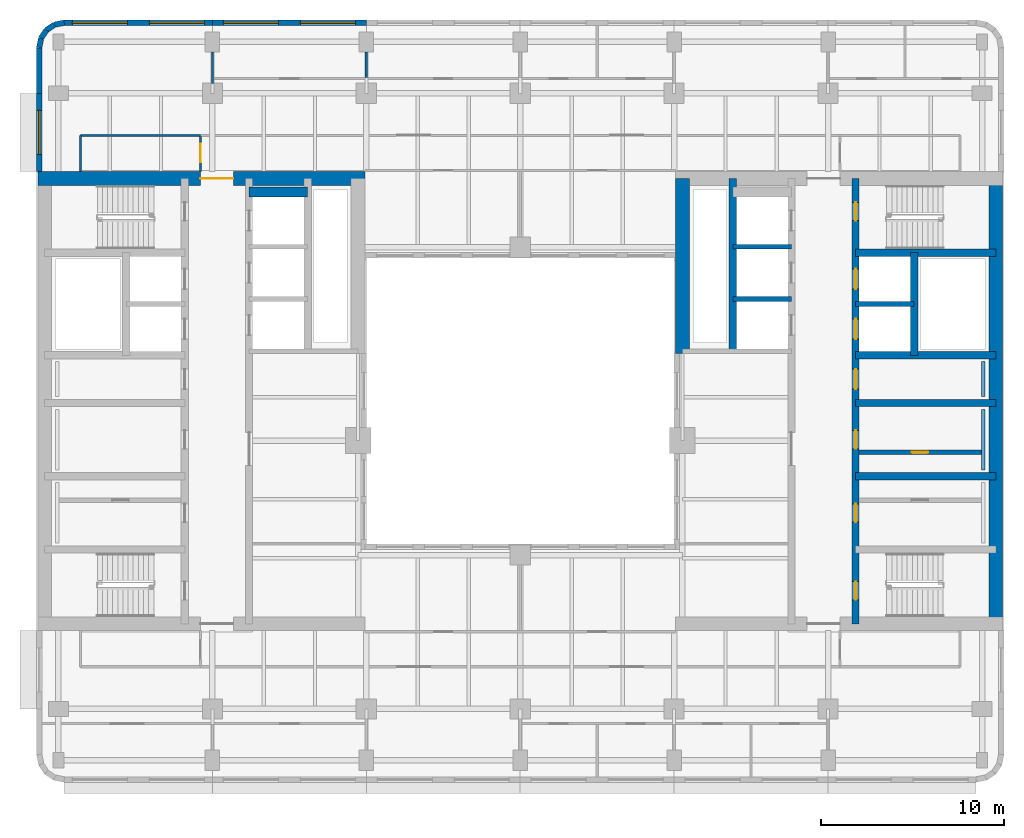
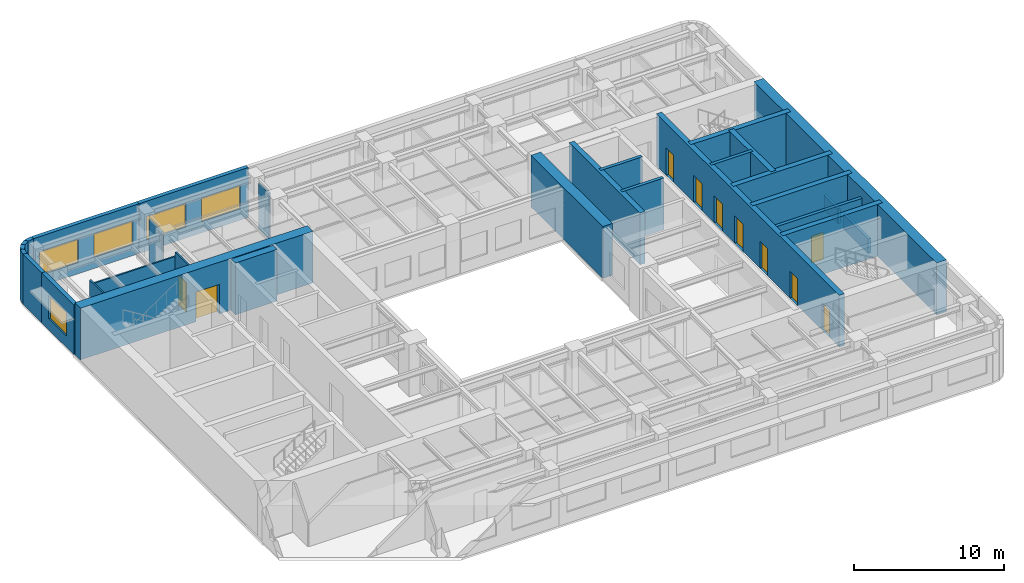
# One storey, part 6 of 11: 30 walls, 10 doors, 5 windows, 15 openings.
"""IFC4 building model written with IfcOpenShell, lengths in metres."""

from ifc_helpers import new_model, si_unit, direction, frame, frame_2d, origin, place, context, subcontext, project, spatial, rectangle, extrude, material, layer, layer_set, type_object, element, fill, save


model = new_model("IFC4")

# Units and contexts
model_context = context("Model", 3, precision=1e-05, world=origin(), true_north=direction((0.0, 1.0)))
body_context = subcontext(model_context, "Body", "Model", "MODEL_VIEW")
ifc_project = project(units=[si_unit("LENGTHUNIT", "METRE"), si_unit("AREAUNIT", "SQUARE_METRE"), si_unit("VOLUMEUNIT", "CUBIC_METRE"), si_unit("PLANEANGLEUNIT", "RADIAN"), si_unit("MASSUNIT", "GRAM", prefix="KILO")], contexts=[model_context])

# Site, building, storey
site_placement = place(None, origin())
site = spatial("IfcSite", under=ifc_project, at=site_placement, CompositionType="ELEMENT")
building_placement = place(site_placement, origin())
building = spatial("IfcBuilding", under=site, at=building_placement, Name="Claustro Exchange Tower", CompositionType="ELEMENT")
storey_placement = place(building_placement, frame((0.0, 0.0, 228.0)))
storey = spatial("IfcBuildingStorey", under=building, at=storey_placement, Name="L52", CompositionType="ELEMENT", Elevation=228.0)

# Walls
ifc_material_1 = material(Name="Laminated glass in aluminium frame", Category="aluminium")
ifc_layer_1 = layer(ifc_material_1, 0.1201171875)
ifc_layer_set_1 = layer_set([ifc_layer_1], Name="Laminated glass in aluminium frame")
wall_type_1 = type_object("IfcWallType", Name="P2 120 glazed partition", PredefinedType="PARTITIONING", material=ifc_layer_set_1)
wall_1_placement = place(storey_placement, frame((8.39990234375, 42.548095703125, 0.0), z_axis=(0.0, 0.0, 1.0), x_axis=(0.0, 1.0, 0.0)))
element("IfcWall", 1, at=wall_1_placement, inside=storey, type_object=wall_type_1, Name="Partition P2 L52", PredefinedType="PARTITIONING", context=body_context, shape_type="SweptSolid", body=[
    extrude(rectangle(XDim=1.702880859375, YDim=0.1201171875, at=frame_2d((0.8515625, 0.0))), origin(), (0.0, 0.0, 1.0), 3.68994140625),
])
wall_2_placement = place(storey_placement, frame((16.800048828125, 42.85791015625, 0.0), z_axis=(0.0, 0.0, 1.0), x_axis=(0.0, 1.0, 0.0)))
element("IfcWall", 2, at=wall_2_placement, inside=storey, type_object=wall_type_1, Name="Partition P2 L52", PredefinedType="PARTITIONING", context=body_context, shape_type="SweptSolid", body=[
    extrude(rectangle(XDim=1.39306640625, YDim=0.1201171875, at=frame_2d((0.696533203125, 0.0))), origin(), (0.0, 0.0, 1.0), 3.68994140625),
])

# Wall, opening, door
wall_3_placement = place(storey_placement, frame((7.75, 37.72412109375, 0.0), z_axis=(0.0, 0.0, 1.0), x_axis=(0.0, 1.0, 0.0)))
wall_3 = element("IfcWall", 3, at=wall_3_placement, inside=storey, type_object=wall_type_1, Name="Partition P2 L52", PredefinedType="PARTITIONING", context=body_context, shape_type="SweptSolid", body=[
    extrude(rectangle(XDim=1.91796875, YDim=0.1201171875, at=frame_2d((0.958984375, 0.0))), origin(), (0.0, 0.0, 1.0), 4.050048828125),
])
opening_1_placement = place(wall_3_placement, frame((0.52587890625, 0.0, 0.0)))
opening_1 = element("IfcOpeningElement", 4, at=opening_1_placement, cuts=wall_3, Name="Opening D7", PredefinedType="OPENING", context=body_context, shape_type="SweptSolid", body=[
    extrude(rectangle(XDim=1.0, YDim=2.39990234375, at=frame_2d((0.5, 1.199951171875))), frame((0.0, 0.070068359375, 0.0), z_axis=(0.0, -1.0, 0.0), x_axis=(1.0, 0.0, 0.0)), (0.0, 0.0, 1.0), 0.14013671875),
])
ifc_material_2 = material(Name="Glass door in aluminium frame", Category="aluminium")
door_type_1 = type_object("IfcDoorType", Name="D7 1000 x 2400 glazed door", OperationType="SINGLE_SWING_LEFT", PredefinedType="DOOR", material=ifc_material_2)
door_1_placement = place(opening_1_placement, origin())
door_1 = element("IfcDoor", 5, at=door_1_placement, inside=storey, type_object=door_type_1, Name="Door D7 L52", OperationType="SINGLE_SWING_LEFT", OverallHeight=2.39990234375, OverallWidth=1.0, PredefinedType="DOOR", context=body_context, shape_type="SweptSolid", body=[
    extrude(rectangle(XDim=1.0, YDim=2.39990234375, at=frame_2d((0.5, 1.199951171875))), frame((0.0, 0.02490234375, 0.0), z_axis=(0.0, -1.0, 0.0), x_axis=(1.0, 0.0, 0.0)), (0.0, 0.0, 1.0), 0.050048828125),
])
fill(opening_1, door_1)

# Walls
wall_4_placement = place(storey_placement, frame((1.199951171875, 39.699951171875, 0.0), z_axis=(0.0, 0.0, 1.0), x_axis=(1.0, 0.0, 0.0)))
element("IfcWall", 6, at=wall_4_placement, inside=storey, type_object=wall_type_1, Name="Partition P2 L52", PredefinedType="PARTITIONING", context=body_context, shape_type="SweptSolid", body=[
    extrude(rectangle(XDim=6.552001953125, YDim=0.1201171875, at=frame_2d((3.27587890625, 0.0))), origin(), (0.0, 0.0, 1.0), 3.68994140625),
])
wall_5_placement = place(storey_placement, frame((1.199951171875, 37.72412109375, 0.0), z_axis=(0.0, 0.0, 1.0), x_axis=(0.0, 1.0, 0.0)))
element("IfcWall", 7, at=wall_5_placement, inside=storey, type_object=wall_type_1, Name="Partition P2 L52", PredefinedType="PARTITIONING", context=body_context, shape_type="SweptSolid", body=[
    extrude(rectangle(XDim=1.975830078125, YDim=0.1201171875, at=frame_2d((0.98779296875, 0.0))), origin(), (0.0, 0.0, 1.0), 4.050048828125),
])

# Wall, opening, door
ifc_material_3 = material(Name="Concrete blockwork, rendered", Category="masonry")
ifc_layer_2 = layer(ifc_material_3, 0.25)
ifc_layer_set_2 = layer_set([ifc_layer_2], Name="Concrete blockwork, rendered")
wall_type_2 = type_object("IfcWallType", Name="P4 250 blockwork wall", PredefinedType="PARTITIONING", material=ifc_layer_set_2)
wall_6_placement = place(storey_placement, frame((43.699951171875, 22.39990234375, 0.0), z_axis=(0.0, 0.0, 1.0), x_axis=(1.0, 0.0, 0.0)))
wall_6 = element("IfcWall", 8, at=wall_6_placement, inside=storey, type_object=wall_type_2, Name="Partition P4 L52", PredefinedType="PARTITIONING", context=body_context, shape_type="SweptSolid", body=[
    extrude(rectangle(XDim=6.675048828125, YDim=0.25, at=frame_2d((3.33740234375, 0.0))), origin(), (0.0, 0.0, 1.0), 4.0),
])
opening_2_placement = place(wall_6_placement, frame((2.862548828125, 0.0, 0.0)))
opening_2 = element("IfcOpeningElement", 9, at=opening_2_placement, cuts=wall_6, Name="Opening D5", PredefinedType="OPENING", context=body_context, shape_type="SweptSolid", body=[
    extrude(rectangle(XDim=0.89990234375, YDim=2.199951171875, at=frame_2d((0.449951171875, 1.10009765625))), frame((0.0, 0.135009765625, 0.0), z_axis=(0.0, -1.0, 0.0), x_axis=(1.0, 0.0, 0.0)), (0.0, 0.0, 1.0), 0.27001953125),
])
ifc_material_4 = material(Name="Steel door, painted", Category="steel")
door_type_2 = type_object("IfcDoorType", Name="D5 900 x 2200 store door", OperationType="SINGLE_SWING_LEFT", PredefinedType="DOOR", material=ifc_material_4)
door_2_placement = place(opening_2_placement, frame((0.89990234375, 0.0, 0.0), z_axis=(0.0, 0.0, 1.0), x_axis=(-1.0, 0.0, 0.0)))
door_2 = element("IfcDoor", 10, at=door_2_placement, inside=storey, type_object=door_type_2, Name="Store door D5 L52", OperationType="SINGLE_SWING_RIGHT", OverallHeight=2.199951171875, OverallWidth=0.89990234375, PredefinedType="DOOR", context=body_context, shape_type="SweptSolid", body=[
    extrude(rectangle(XDim=0.89990234375, YDim=2.199951171875, at=frame_2d((0.449951171875, 1.10009765625))), frame((0.0, 0.02490234375, 0.0), z_axis=(0.0, -1.0, 0.0), x_axis=(1.0, 0.0, 0.0)), (0.0, 0.0, 1.0), 0.050048828125),
])
fill(opening_2, door_2)

# Wall, opening, window
ifc_material_5 = material(Name="Concrete HA-40 (C40/50), precast, white cement, acid-etched", Category="concrete")
ifc_layer_3 = layer(ifc_material_5, 0.300048828125)
ifc_layer_set_3 = layer_set([ifc_layer_3], Name="Concrete HA-40 (C40/50), precast, white cement, acid-etched")
wall_type_3 = type_object("IfcWallType", Name="PC1 300 precast concrete pier panel", PredefinedType="SOLIDWALL", material=ifc_layer_set_3)
wall_7_placement = place(storey_placement, frame((-1.050048828125, 37.72509765625, 0.0), z_axis=(0.0, 0.0, 1.0), x_axis=(0.0, 1.0, 0.0)))
wall_7 = element("IfcWall", 11, at=wall_7_placement, inside=storey, type_object=wall_type_3, Name="Precast pier panel PC1 L52", PredefinedType="SOLIDWALL", context=body_context, shape_type="SweptSolid", body=[
    extrude(rectangle(XDim=4.27490234375, YDim=0.300048828125, at=frame_2d((2.137451171875, 0.0))), origin(), (0.0, 0.0, 1.0), 4.050048828125),
])
opening_3_placement = place(wall_7_placement, frame((0.9375, 0.0, 0.89990234375)))
opening_3 = element("IfcOpeningElement", 12, at=opening_3_placement, cuts=wall_7, Name="Opening W2", PredefinedType="OPENING", context=body_context, shape_type="SweptSolid", body=[
    extrude(rectangle(XDim=2.39990234375, YDim=1.89990234375, at=frame_2d((1.199951171875, 0.949951171875))), frame((0.0, 0.159912109375, 0.0), z_axis=(0.0, -1.0, 0.0), x_axis=(1.0, 0.0, 0.0)), (0.0, 0.0, 1.0), 0.320068359375),
])
ifc_material_6 = material(Name="Aluminium frame, clear double glazing", Category="aluminium")
window_type_1 = type_object("IfcWindowType", Name="W2 2400 x 1900 window", PartitioningType="SINGLE_PANEL", PredefinedType="WINDOW", material=ifc_material_6)
window_1_placement = place(opening_3_placement, origin())
window_1 = element("IfcWindow", 13, at=window_1_placement, inside=storey, type_object=window_type_1, Name="Window W2 L52", OverallHeight=1.89990234375, OverallWidth=2.39990234375, PartitioningType="SINGLE_PANEL", PredefinedType="WINDOW", context=body_context, shape_type="SweptSolid", body=[
    extrude(rectangle(XDim=2.39990234375, YDim=1.89990234375, at=frame_2d((1.199951171875, 0.949951171875))), frame((0.0, 0.030029296875, 0.0), z_axis=(0.0, -1.0, 0.0), x_axis=(1.0, 0.0, 0.0)), (0.0, 0.0, 1.0), 0.06005859375),
])
fill(opening_3, window_1)

# Walls
wall_8_placement = place(storey_placement, frame((-1.050048828125, 42.0, 0.0), z_axis=(0.0, 0.0, 1.0), x_axis=(0.0, 1.0, 0.0)))
element("IfcWall", 14, at=wall_8_placement, inside=storey, type_object=wall_type_3, Name="Precast pier panel PC1 L52", PredefinedType="SOLIDWALL", context=body_context, shape_type="SweptSolid", body=[
    extrude(rectangle(XDim=2.485107421875, YDim=0.300048828125, at=frame_2d((1.24267578125, 0.0))), origin(), (0.0, 0.0, 1.0), 4.050048828125),
])
wall_9_placement = place(storey_placement, frame((-1.050048828125, 44.485107421875, 0.0), z_axis=(0.0, 0.0, 1.0), x_axis=(0.195073962632, 0.980788534345, 0.0)))
element("IfcWall", 15, at=wall_9_placement, inside=storey, type_object=wall_type_3, Name="Precast pier panel PC1 L52", PredefinedType="SOLIDWALL", context=body_context, shape_type="SweptSolid", body=[
    extrude(rectangle(XDim=0.540771484375, YDim=0.300048828125, at=frame_2d((0.2705078125, 0.0))), origin(), (0.0, 0.0, 1.0), 4.050048828125),
])
wall_10_placement = place(storey_placement, frame((-0.944580078125, 45.015380859375, 0.0), z_axis=(0.0, 0.0, 1.0), x_axis=(0.55534295404, 0.831621430339, 0.0)))
element("IfcWall", 16, at=wall_10_placement, inside=storey, type_object=wall_type_3, Name="Precast pier panel PC1 L52", PredefinedType="SOLIDWALL", context=body_context, shape_type="SweptSolid", body=[
    extrude(rectangle(XDim=0.52587890625, YDim=0.300048828125, at=frame_2d((0.262939453125, 0.0))), origin(), (0.0, 0.0, 1.0), 4.050048828125),
])
wall_11_placement = place(storey_placement, frame((-0.652587890625, 45.45263671875, 0.0), z_axis=(0.0, 0.0, 1.0), x_axis=(0.831692711774, 0.555236195849, 0.0)))
element("IfcWall", 17, at=wall_11_placement, inside=storey, type_object=wall_type_3, Name="Precast pier panel PC1 L52", PredefinedType="SOLIDWALL", context=body_context, shape_type="SweptSolid", body=[
    extrude(rectangle(XDim=0.525390625, YDim=0.300048828125, at=frame_2d((0.2626953125, 0.0))), origin(), (0.0, 0.0, 1.0), 4.050048828125),
])
wall_12_placement = place(storey_placement, frame((-0.215576171875, 45.744384765625, 0.0), z_axis=(0.0, 0.0, 1.0), x_axis=(0.980702050465, 0.1955082817, 0.0)))
element("IfcWall", 18, at=wall_12_placement, inside=storey, type_object=wall_type_3, Name="Precast pier panel PC1 L52", PredefinedType="SOLIDWALL", context=body_context, shape_type="SweptSolid", body=[
    extrude(rectangle(XDim=0.540771484375, YDim=0.300048828125, at=frame_2d((0.2705078125, 0.0))), origin(), (0.0, 0.0, 1.0), 4.050048828125),
])

# Wall, openings, windows
wall_13_placement = place(storey_placement, frame((0.314697265625, 45.85009765625, 0.0), z_axis=(0.0, 0.0, 1.0), x_axis=(1.0, 0.0, 0.0)))
wall_13 = element("IfcWall", 19, at=wall_13_placement, inside=storey, type_object=wall_type_3, Name="Precast pier panel PC1 L52", PredefinedType="SOLIDWALL", context=body_context, shape_type="SweptSolid", body=[
    extrude(rectangle(XDim=8.085205078125, YDim=0.300048828125, at=frame_2d((4.04248046875, 0.0))), origin(), (0.0, 0.0, 1.0), 4.050048828125),
])
opening_4_placement = place(wall_13_placement, frame((0.442626953125, 0.0, 0.89990234375)))
opening_4 = element("IfcOpeningElement", 20, at=opening_4_placement, cuts=wall_13, Name="Opening W1", PredefinedType="OPENING", context=body_context, shape_type="SweptSolid", body=[
    extrude(rectangle(XDim=3.0, YDim=1.89990234375, at=frame_2d((1.5, 0.949951171875))), frame((0.0, 0.159912109375, 0.0), z_axis=(0.0, -1.0, 0.0), x_axis=(1.0, 0.0, 0.0)), (0.0, 0.0, 1.0), 0.320068359375),
])
opening_5_placement = place(wall_13_placement, frame((4.642578125, 0.0, 0.89990234375)))
opening_5 = element("IfcOpeningElement", 21, at=opening_5_placement, cuts=wall_13, Name="Opening W1", PredefinedType="OPENING", context=body_context, shape_type="SweptSolid", body=[
    extrude(rectangle(XDim=3.0, YDim=1.89990234375, at=frame_2d((1.5, 0.949951171875))), frame((0.0, 0.159912109375, 0.0), z_axis=(0.0, -1.0, 0.0), x_axis=(1.0, 0.0, 0.0)), (0.0, 0.0, 1.0), 0.320068359375),
])
ifc_material_7 = material(Name="Aluminium frame, clear double glazing", Category="aluminium")
window_type_2 = type_object("IfcWindowType", Name="W1 3000 x 1900 window", PartitioningType="SINGLE_PANEL", PredefinedType="WINDOW", material=ifc_material_7)
window_2_placement = place(opening_4_placement, origin())
window_2 = element("IfcWindow", 22, at=window_2_placement, inside=storey, type_object=window_type_2, Name="Window W1 L52", OverallHeight=1.89990234375, OverallWidth=3.0, PartitioningType="SINGLE_PANEL", PredefinedType="WINDOW", context=body_context, shape_type="SweptSolid", body=[
    extrude(rectangle(XDim=3.0, YDim=1.89990234375, at=frame_2d((1.5, 0.949951171875))), frame((0.0, 0.030029296875, 0.0), z_axis=(0.0, -1.0, 0.0), x_axis=(1.0, 0.0, 0.0)), (0.0, 0.0, 1.0), 0.06005859375),
])
fill(opening_4, window_2)
window_3_placement = place(opening_5_placement, origin())
window_3 = element("IfcWindow", 23, at=window_3_placement, inside=storey, type_object=window_type_2, Name="Window W1 L52", OverallHeight=1.89990234375, OverallWidth=3.0, PartitioningType="SINGLE_PANEL", PredefinedType="WINDOW", context=body_context, shape_type="SweptSolid", body=[
    extrude(rectangle(XDim=3.0, YDim=1.89990234375, at=frame_2d((1.5, 0.949951171875))), frame((0.0, 0.030029296875, 0.0), z_axis=(0.0, -1.0, 0.0), x_axis=(1.0, 0.0, 0.0)), (0.0, 0.0, 1.0), 0.06005859375),
])
fill(opening_5, window_3)

wall_14_placement = place(storey_placement, frame((8.39990234375, 45.85009765625, 0.0), z_axis=(0.0, 0.0, 1.0), x_axis=(1.0, 0.0, 0.0)))
wall_14 = element("IfcWall", 24, at=wall_14_placement, inside=storey, type_object=wall_type_3, Name="Precast pier panel PC1 L52", PredefinedType="SOLIDWALL", context=body_context, shape_type="SweptSolid", body=[
    extrude(rectangle(XDim=8.400146484375, YDim=0.300048828125, at=frame_2d((4.2001953125, 0.0))), origin(), (0.0, 0.0, 1.0), 4.050048828125),
])
opening_6_placement = place(wall_14_placement, frame((0.60009765625, 0.0, 0.89990234375)))
opening_6 = element("IfcOpeningElement", 25, at=opening_6_placement, cuts=wall_14, Name="Opening W1", PredefinedType="OPENING", context=body_context, shape_type="SweptSolid", body=[
    extrude(rectangle(XDim=3.0, YDim=1.89990234375, at=frame_2d((1.5, 0.949951171875))), frame((0.0, 0.159912109375, 0.0), z_axis=(0.0, -1.0, 0.0), x_axis=(1.0, 0.0, 0.0)), (0.0, 0.0, 1.0), 0.320068359375),
])
opening_7_placement = place(wall_14_placement, frame((4.800048828125, 0.0, 0.89990234375)))
opening_7 = element("IfcOpeningElement", 26, at=opening_7_placement, cuts=wall_14, Name="Opening W1", PredefinedType="OPENING", context=body_context, shape_type="SweptSolid", body=[
    extrude(rectangle(XDim=3.0, YDim=1.89990234375, at=frame_2d((1.5, 0.949951171875))), frame((0.0, 0.159912109375, 0.0), z_axis=(0.0, -1.0, 0.0), x_axis=(1.0, 0.0, 0.0)), (0.0, 0.0, 1.0), 0.320068359375),
])
window_4_placement = place(opening_6_placement, origin())
window_4 = element("IfcWindow", 27, at=window_4_placement, inside=storey, type_object=window_type_2, Name="Window W1 L52", OverallHeight=1.89990234375, OverallWidth=3.0, PartitioningType="SINGLE_PANEL", PredefinedType="WINDOW", context=body_context, shape_type="SweptSolid", body=[
    extrude(rectangle(XDim=3.0, YDim=1.89990234375, at=frame_2d((1.5, 0.949951171875))), frame((0.0, 0.030029296875, 0.0), z_axis=(0.0, -1.0, 0.0), x_axis=(1.0, 0.0, 0.0)), (0.0, 0.0, 1.0), 0.06005859375),
])
fill(opening_6, window_4)
window_5_placement = place(opening_7_placement, origin())
window_5 = element("IfcWindow", 28, at=window_5_placement, inside=storey, type_object=window_type_2, Name="Window W1 L52", OverallHeight=1.89990234375, OverallWidth=3.0, PartitioningType="SINGLE_PANEL", PredefinedType="WINDOW", context=body_context, shape_type="SweptSolid", body=[
    extrude(rectangle(XDim=3.0, YDim=1.89990234375, at=frame_2d((1.5, 0.949951171875))), frame((0.0, 0.030029296875, 0.0), z_axis=(0.0, -1.0, 0.0), x_axis=(1.0, 0.0, 0.0)), (0.0, 0.0, 1.0), 0.06005859375),
])
fill(opening_7, window_5)

# Walls
ifc_material_8 = material(Name="Gypsum board on steel studs, tiled", Category="steel")
ifc_layer_4 = layer(ifc_material_8, 0.199951171875)
ifc_layer_set_4 = layer_set([ifc_layer_4], Name="Gypsum board on steel studs, tiled")
wall_type_4 = type_object("IfcWallType", Name="PW1 200 WC duct wall", PredefinedType="PLUMBINGWALL", material=ifc_layer_set_4)
wall_15_placement = place(storey_placement, frame((50.47509765625, 21.449951171875, 0.0), z_axis=(0.0, 0.0, 1.0), x_axis=(0.0, 1.0, 0.0)))
element("IfcWall", 29, at=wall_15_placement, inside=storey, type_object=wall_type_4, Name="WC duct wall PW1 L52", PredefinedType="PLUMBINGWALL", context=body_context, shape_type="SweptSolid", body=[
    extrude(rectangle(XDim=3.300048828125, YDim=0.199951171875, at=frame_2d((1.64990234375, 0.0))), origin(), (0.0, 0.0, 1.0), 1.199951171875),
])
wall_16_placement = place(storey_placement, frame((50.47509765625, 25.449951171875, 0.0), z_axis=(0.0, 0.0, 1.0), x_axis=(0.0, 1.0, 0.0)))
element("IfcWall", 30, at=wall_16_placement, inside=storey, type_object=wall_type_4, Name="WC duct wall PW1 L52", PredefinedType="PLUMBINGWALL", context=body_context, shape_type="SweptSolid", body=[
    extrude(rectangle(XDim=1.900146484375, YDim=0.199951171875, at=frame_2d((0.9501953125, 0.0))), origin(), (0.0, 0.0, 1.0), 1.199951171875),
])

# Wall, opening, door
ifc_material_9 = material(Name="Concrete HA-70 (C70/85)", Category="concrete")
ifc_layer_5 = layer(ifc_material_9, 0.75)
ifc_layer_set_5 = layer_set([ifc_layer_5], Name="Concrete HA-70 (C70/85)")
wall_type_5 = type_object("IfcWallType", Name="SW2 750 core shear wall", PredefinedType="SHEAR", material=ifc_layer_set_5)
wall_17_placement = place(storey_placement, frame((-1.125, 37.35009765625, 0.0), z_axis=(0.0, 0.0, 1.0), x_axis=(1.0, 0.0, 0.0)))
wall_17 = element("IfcWall", 31, at=wall_17_placement, inside=storey, type_object=wall_type_5, Name="Core wall SW2 W core N face L52", PredefinedType="SHEAR", context=body_context, shape_type="SweptSolid", body=[
    extrude(rectangle(XDim=17.85009765625, YDim=0.75, at=frame_2d((8.925048828125, 0.0))), origin(), (0.0, 0.0, 1.0), 4.199951171875),
])
opening_8_placement = place(wall_17_placement, frame((8.875, 0.0, 0.0)))
opening_8 = element("IfcOpeningElement", 32, at=opening_8_placement, cuts=wall_17, Name="Opening D3", PredefinedType="OPENING", context=body_context, shape_type="SweptSolid", body=[
    extrude(rectangle(XDim=1.800048828125, YDim=2.39990234375, at=frame_2d((0.89990234375, 1.199951171875))), frame((0.0, 0.385009765625, 0.0), z_axis=(0.0, -1.0, 0.0), x_axis=(1.0, 0.0, 0.0)), (0.0, 0.0, 1.0), 0.77001953125),
])
ifc_material_10 = material(Name="Steel fire door, painted", Category="steel")
door_type_3 = type_object("IfcDoorType", Name="D3 1800 x 2400 fire-rated lobby double door", OperationType="DOUBLE_DOOR_SINGLE_SWING", PredefinedType="DOOR", material=ifc_material_10)
door_3_placement = place(opening_8_placement, frame((1.800048828125, 0.0, 0.0), z_axis=(0.0, 0.0, 1.0), x_axis=(-1.0, 0.0, 0.0)))
door_3 = element("IfcDoor", 33, at=door_3_placement, inside=storey, type_object=door_type_3, Name="Lift lobby door D3 L52", OperationType="DOUBLE_DOOR_SINGLE_SWING", OverallHeight=2.39990234375, OverallWidth=1.800048828125, PredefinedType="DOOR", context=body_context, shape_type="SweptSolid", body=[
    extrude(rectangle(XDim=1.800048828125, YDim=2.39990234375, at=frame_2d((0.89990234375, 1.199951171875))), frame((0.0, 0.02490234375, 0.0), z_axis=(0.0, -1.0, 0.0), x_axis=(1.0, 0.0, 0.0)), (0.0, 0.0, 1.0), 0.050048828125),
])
fill(opening_8, door_3)

# Walls
ifc_material_11 = material(Name="Concrete HA-70 (C70/85)", Category="concrete")
ifc_layer_6 = layer(ifc_material_11, 0.75)
ifc_layer_set_6 = layer_set([ifc_layer_6], Name="Concrete HA-70 (C70/85)")
wall_type_6 = type_object("IfcWallType", Name="SW2X 750 exposed core shear wall, board-marked face", PredefinedType="SHEAR", material=ifc_layer_set_6)
wall_18_placement = place(storey_placement, frame((34.050048828125, 27.800048828125, 0.0), z_axis=(0.0, 0.0, 1.0), x_axis=(0.0, 1.0, 0.0)))
element("IfcWall", 34, at=wall_18_placement, inside=storey, type_object=wall_type_6, Name="Core wall SW2X E core W face L52", PredefinedType="SHEAR", context=body_context, shape_type="SweptSolid", body=[
    extrude(rectangle(XDim=9.550048828125, YDim=0.75, at=frame_2d((4.77490234375, 0.0))), origin(), (0.0, 0.0, 1.0), 4.199951171875),
])
wall_19_placement = place(storey_placement, frame((51.14990234375, 13.050048828125, 0.0), z_axis=(0.0, 0.0, 1.0), x_axis=(0.0, 1.0, 0.0)))
element("IfcWall", 35, at=wall_19_placement, inside=storey, type_object=wall_type_6, Name="Core wall SW2X E core E face L52", PredefinedType="SHEAR", context=body_context, shape_type="SweptSolid", body=[
    extrude(rectangle(XDim=24.300048828125, YDim=0.75, at=frame_2d((12.14990234375, 0.0))), origin(), (0.0, 0.0, 1.0), 4.199951171875),
])

# Wall, openings, doors
ifc_material_12 = material(Name="Concrete HA-50 (C50/60)", Category="concrete")
ifc_layer_7 = layer(ifc_material_12, 0.39990234375)
ifc_layer_set_7 = layer_set([ifc_layer_7], Name="Concrete HA-50 (C50/60)")
wall_type_7 = type_object("IfcWallType", Name="SW4 400 internal core wall", PredefinedType="SHEAR", material=ifc_layer_set_7)
wall_20_placement = place(storey_placement, frame((43.5, 13.050048828125, 0.0), z_axis=(0.0, 0.0, 1.0), x_axis=(0.0, 1.0, 0.0)))
wall_20 = element("IfcWall", 36, at=wall_20_placement, inside=storey, type_object=wall_type_7, Name="Internal core wall SW4 E core L52", PredefinedType="SHEAR", context=body_context, shape_type="SweptSolid", body=[
    extrude(rectangle(XDim=24.300048828125, YDim=0.39990234375, at=frame_2d((12.14990234375, 0.0))), origin(), (0.0, 0.0, 1.0), 4.199951171875),
])
opening_9_placement = place(wall_20_placement, frame((1.300048828125, 0.0, 0.0)))
opening_9 = element("IfcOpeningElement", 37, at=opening_9_placement, cuts=wall_20, Name="Opening D4", PredefinedType="OPENING", context=body_context, shape_type="SweptSolid", body=[
    extrude(rectangle(XDim=1.0, YDim=2.199951171875, at=frame_2d((0.5, 1.10009765625))), frame((0.0, 0.2099609375, 0.0), z_axis=(0.0, -1.0, 0.0), x_axis=(1.0, 0.0, 0.0)), (0.0, 0.0, 1.0), 0.419921875),
])
opening_10_placement = place(wall_20_placement, frame((22.0, 0.0, 0.0)))
opening_10 = element("IfcOpeningElement", 38, at=opening_10_placement, cuts=wall_20, Name="Opening D4", PredefinedType="OPENING", context=body_context, shape_type="SweptSolid", body=[
    extrude(rectangle(XDim=1.0, YDim=2.199951171875, at=frame_2d((0.5, 1.10009765625))), frame((0.0, 0.2099609375, 0.0), z_axis=(0.0, -1.0, 0.0), x_axis=(1.0, 0.0, 0.0)), (0.0, 0.0, 1.0), 0.419921875),
])
opening_11_placement = place(wall_20_placement, frame((5.550048828125, 0.0, 0.0)))
opening_11 = element("IfcOpeningElement", 39, at=opening_11_placement, cuts=wall_20, Name="Opening D1", PredefinedType="OPENING", context=body_context, shape_type="SweptSolid", body=[
    extrude(rectangle(XDim=1.0, YDim=2.199951171875, at=frame_2d((0.5, 1.10009765625))), frame((0.0, 0.2099609375, 0.0), z_axis=(0.0, -1.0, 0.0), x_axis=(1.0, 0.0, 0.0)), (0.0, 0.0, 1.0), 0.419921875),
])
opening_12_placement = place(wall_20_placement, frame((9.550048828125, 0.0, 0.0)))
opening_12 = element("IfcOpeningElement", 40, at=opening_12_placement, cuts=wall_20, Name="Opening D1", PredefinedType="OPENING", context=body_context, shape_type="SweptSolid", body=[
    extrude(rectangle(XDim=1.0, YDim=2.199951171875, at=frame_2d((0.5, 1.10009765625))), frame((0.0, 0.2099609375, 0.0), z_axis=(0.0, -1.0, 0.0), x_axis=(1.0, 0.0, 0.0)), (0.0, 0.0, 1.0), 0.419921875),
])
opening_13_placement = place(wall_20_placement, frame((12.800048828125, 0.0, 0.0)))
opening_13 = element("IfcOpeningElement", 41, at=opening_13_placement, cuts=wall_20, Name="Opening D10", PredefinedType="OPENING", context=body_context, shape_type="SweptSolid", body=[
    extrude(rectangle(XDim=1.10009765625, YDim=2.199951171875, at=frame_2d((0.550048828125, 1.10009765625))), frame((0.0, 0.2099609375, 0.0), z_axis=(0.0, -1.0, 0.0), x_axis=(1.0, 0.0, 0.0)), (0.0, 0.0, 1.0), 0.419921875),
])
opening_14_placement = place(wall_20_placement, frame((15.53759765625, 0.0, 0.0)))
opening_14 = element("IfcOpeningElement", 42, at=opening_14_placement, cuts=wall_20, Name="Opening LD", PredefinedType="OPENING", context=body_context, shape_type="SweptSolid", body=[
    extrude(rectangle(XDim=1.10009765625, YDim=2.199951171875, at=frame_2d((0.550048828125, 1.10009765625))), frame((0.0, 0.2099609375, 0.0), z_axis=(0.0, -1.0, 0.0), x_axis=(1.0, 0.0, 0.0)), (0.0, 0.0, 1.0), 0.419921875),
])
opening_15_placement = place(wall_20_placement, frame((18.262451171875, 0.0, 0.0)))
opening_15 = element("IfcOpeningElement", 43, at=opening_15_placement, cuts=wall_20, Name="Opening LD", PredefinedType="OPENING", context=body_context, shape_type="SweptSolid", body=[
    extrude(rectangle(XDim=1.10009765625, YDim=2.199951171875, at=frame_2d((0.550048828125, 1.10009765625))), frame((0.0, 0.2099609375, 0.0), z_axis=(0.0, -1.0, 0.0), x_axis=(1.0, 0.0, 0.0)), (0.0, 0.0, 1.0), 0.419921875),
])
ifc_material_13 = material(Name="Timber door, oak veneer", Category="wood")
door_type_4 = type_object("IfcDoorType", Name="D1 1000 x 2200 single door", OperationType="SINGLE_SWING_LEFT", PredefinedType="DOOR", material=ifc_material_13)
door_4_placement = place(opening_11_placement, frame((1.0, 0.0, 0.0), z_axis=(0.0, 0.0, 1.0), x_axis=(-1.0, 0.0, 0.0)))
door_4 = element("IfcDoor", 44, at=door_4_placement, inside=storey, type_object=door_type_4, Name="Door D1 L52", OperationType="SINGLE_SWING_LEFT", OverallHeight=2.199951171875, OverallWidth=1.0, PredefinedType="DOOR", context=body_context, shape_type="SweptSolid", body=[
    extrude(rectangle(XDim=1.0, YDim=2.199951171875, at=frame_2d((0.5, 1.10009765625))), frame((0.0, 0.02490234375, 0.0), z_axis=(0.0, -1.0, 0.0), x_axis=(1.0, 0.0, 0.0)), (0.0, 0.0, 1.0), 0.050048828125),
])
fill(opening_11, door_4)
door_5_placement = place(opening_12_placement, frame((1.0, 0.0, 0.0), z_axis=(0.0, 0.0, 1.0), x_axis=(-1.0, 0.0, 0.0)))
door_5 = element("IfcDoor", 45, at=door_5_placement, inside=storey, type_object=door_type_4, Name="Door D1 L52", OperationType="SINGLE_SWING_RIGHT", OverallHeight=2.199951171875, OverallWidth=1.0, PredefinedType="DOOR", context=body_context, shape_type="SweptSolid", body=[
    extrude(rectangle(XDim=1.0, YDim=2.199951171875, at=frame_2d((0.5, 1.10009765625))), frame((0.0, 0.02490234375, 0.0), z_axis=(0.0, -1.0, 0.0), x_axis=(1.0, 0.0, 0.0)), (0.0, 0.0, 1.0), 0.050048828125),
])
fill(opening_12, door_5)
ifc_material_14 = material(Name="Timber door, oak veneer", Category="wood")
door_type_5 = type_object("IfcDoorType", Name="D10 1100 x 2200 accessible WC door", OperationType="SINGLE_SWING_LEFT", PredefinedType="DOOR", material=ifc_material_14)
door_6_placement = place(opening_13_placement, origin())
door_6 = element("IfcDoor", 46, at=door_6_placement, inside=storey, type_object=door_type_5, Name="Accessible WC door D10 L52", OperationType="SINGLE_SWING_RIGHT", OverallHeight=2.199951171875, OverallWidth=1.10009765625, PredefinedType="DOOR", context=body_context, shape_type="SweptSolid", body=[
    extrude(rectangle(XDim=1.10009765625, YDim=2.199951171875, at=frame_2d((0.550048828125, 1.10009765625))), frame((0.0, 0.02490234375, 0.0), z_axis=(0.0, -1.0, 0.0), x_axis=(1.0, 0.0, 0.0)), (0.0, 0.0, 1.0), 0.050048828125),
])
fill(opening_13, door_6)
ifc_material_15 = material(Name="Steel fire door, painted", Category="steel")
door_type_6 = type_object("IfcDoorType", Name="D4 1000 x 2200 fire-rated stair door", OperationType="SINGLE_SWING_LEFT", PredefinedType="DOOR", material=ifc_material_15)
door_7_placement = place(opening_9_placement, frame((1.0, 0.0, 0.0), z_axis=(0.0, 0.0, 1.0), x_axis=(-1.0, 0.0, 0.0)))
door_7 = element("IfcDoor", 47, at=door_7_placement, inside=storey, type_object=door_type_6, Name="Stair door D4 L52", OperationType="SINGLE_SWING_RIGHT", OverallHeight=2.199951171875, OverallWidth=1.0, PredefinedType="DOOR", context=body_context, shape_type="SweptSolid", body=[
    extrude(rectangle(XDim=1.0, YDim=2.199951171875, at=frame_2d((0.5, 1.10009765625))), frame((0.0, 0.02490234375, 0.0), z_axis=(0.0, -1.0, 0.0), x_axis=(1.0, 0.0, 0.0)), (0.0, 0.0, 1.0), 0.050048828125),
])
fill(opening_9, door_7)
door_8_placement = place(opening_10_placement, frame((1.0, 0.0, 0.0), z_axis=(0.0, 0.0, 1.0), x_axis=(-1.0, 0.0, 0.0)))
door_8 = element("IfcDoor", 48, at=door_8_placement, inside=storey, type_object=door_type_6, Name="Stair door D4 L52", OperationType="SINGLE_SWING_LEFT", OverallHeight=2.199951171875, OverallWidth=1.0, PredefinedType="DOOR", context=body_context, shape_type="SweptSolid", body=[
    extrude(rectangle(XDim=1.0, YDim=2.199951171875, at=frame_2d((0.5, 1.10009765625))), frame((0.0, 0.02490234375, 0.0), z_axis=(0.0, -1.0, 0.0), x_axis=(1.0, 0.0, 0.0)), (0.0, 0.0, 1.0), 0.050048828125),
])
fill(opening_10, door_8)
ifc_material_16 = material(Name="Stainless steel sliding door", Category="steel")
door_type_7 = type_object("IfcDoorType", Name="LD 1100 x 2200 lift landing door", OperationType="DOUBLE_DOOR_SLIDING", PredefinedType="DOOR", material=ifc_material_16)
door_9_placement = place(opening_14_placement, origin())
door_9 = element("IfcDoor", 49, at=door_9_placement, inside=storey, type_object=door_type_7, Name="Lift landing door LEE1 LD L52", OperationType="DOUBLE_DOOR_SLIDING", OverallHeight=2.199951171875, OverallWidth=1.10009765625, PredefinedType="DOOR", context=body_context, shape_type="SweptSolid", body=[
    extrude(rectangle(XDim=1.10009765625, YDim=2.199951171875, at=frame_2d((0.550048828125, 1.10009765625))), frame((0.0, 0.02490234375, 0.0), z_axis=(0.0, -1.0, 0.0), x_axis=(1.0, 0.0, 0.0)), (0.0, 0.0, 1.0), 0.050048828125),
])
fill(opening_14, door_9)
door_10_placement = place(opening_15_placement, origin())
door_10 = element("IfcDoor", 50, at=door_10_placement, inside=storey, type_object=door_type_7, Name="Lift landing door LEE2 LD L52", OperationType="DOUBLE_DOOR_SLIDING", OverallHeight=2.199951171875, OverallWidth=1.10009765625, PredefinedType="DOOR", context=body_context, shape_type="SweptSolid", body=[
    extrude(rectangle(XDim=1.10009765625, YDim=2.199951171875, at=frame_2d((0.550048828125, 1.10009765625))), frame((0.0, 0.02490234375, 0.0), z_axis=(0.0, -1.0, 0.0), x_axis=(1.0, 0.0, 0.0)), (0.0, 0.0, 1.0), 0.050048828125),
])
fill(opening_15, door_10)

# Walls
wall_21_placement = place(storey_placement, frame((36.800048828125, 27.925048828125, 0.0), z_axis=(0.0, 0.0, 1.0), x_axis=(0.0, 1.0, 0.0)))
element("IfcWall", 51, at=wall_21_placement, inside=storey, type_object=wall_type_7, Name="Internal core wall SW4 E core L52", PredefinedType="SHEAR", context=body_context, shape_type="SweptSolid", body=[
    extrude(rectangle(XDim=9.425048828125, YDim=0.39990234375, at=frame_2d((4.71240234375, 0.0))), origin(), (0.0, 0.0, 1.0), 4.199951171875),
])
for number, where, z_axis, x_axis, name in (
    (52, (51.14990234375, 21.10009765625, 0.0), (0.0, 0.0, 1.0), (-1.0, 0.0, 0.0), "Internal core wall SW4 E core L52"),
    (53, (51.14990234375, 25.10009765625, 0.0), (0.0, 0.0, 1.0), (-1.0, 0.0, 0.0), "Internal core wall SW4 E core L52"),
    (54, (51.14990234375, 27.699951171875, 0.0), (0.0, 0.0, 1.0), (-1.0, 0.0, 0.0), "Internal core wall SW4 E core L52"),
    (55, (51.14990234375, 33.300048828125, 0.0), (0.0, 0.0, 1.0), (-1.0, 0.0, 0.0), "Internal core wall SW4 E core L52"),
):
    element("IfcWall", number, at=place(storey_placement, frame(where, z_axis=z_axis, x_axis=x_axis)), inside=storey, type_object=wall_type_7, Name=name, PredefinedType="SHEAR", context=body_context, shape_type="SweptSolid", body=[
        extrude(rectangle(XDim=7.64990234375, YDim=0.39990234375, at=frame_2d((3.824951171875, 0.0))), origin(), (0.0, 0.0, 1.0), 4.199951171875),
    ])
wall_22_placement = place(storey_placement, frame((46.699951171875, 27.699951171875, 0.0), z_axis=(0.0, 0.0, 1.0), x_axis=(0.0, 1.0, 0.0)))
element("IfcWall", 56, at=wall_22_placement, inside=storey, type_object=wall_type_7, Name="Internal core wall SW4 E core L52", PredefinedType="SHEAR", context=body_context, shape_type="SweptSolid", body=[
    extrude(rectangle(XDim=5.60009765625, YDim=0.39990234375, at=frame_2d((2.800048828125, 0.0))), origin(), (0.0, 0.0, 1.0), 4.199951171875),
])
ifc_material_17 = material(Name="Concrete HA-50 (C50/60)", Category="concrete")
ifc_layer_8 = layer(ifc_material_17, 0.25)
ifc_layer_set_8 = layer_set([ifc_layer_8], Name="Concrete HA-50 (C50/60)")
wall_type_8 = type_object("IfcWallType", Name="SW5 250 lift shaft divider wall", PredefinedType="SHEAR", material=ifc_layer_set_8)
for number, where, z_axis, x_axis, name in (
    (57, (46.699951171875, 30.5, 0.0), (0.0, 0.0, 1.0), (-1.0, 0.0, 0.0), "Lift shaft wall E core L52"),
    (58, (40.0, 30.77490234375, 0.0), (0.0, 0.0, 1.0), (-1.0, 0.0, 0.0), "Lift shaft wall E core L52"),
    (59, (40.0, 33.625, 0.0), (0.0, 0.0, 1.0), (-1.0, 0.0, 0.0), "Lift shaft wall E core L52"),
):
    element("IfcWall", number, at=place(storey_placement, frame(where, z_axis=z_axis, x_axis=x_axis)), inside=storey, type_object=wall_type_8, Name=name, PredefinedType="SHEAR", context=body_context, shape_type="SweptSolid", body=[
        extrude(rectangle(XDim=3.199951171875, YDim=0.25, at=frame_2d((1.60009765625, 0.0))), origin(), (0.0, 0.0, 1.0), 4.199951171875),
    ])
ifc_material_18 = material(Name="Concrete HA-50 (C50/60)", Category="concrete")
ifc_layer_9 = layer(ifc_material_18, 0.550048828125)
ifc_layer_set_9 = layer_set([ifc_layer_9], Name="Concrete HA-50 (C50/60)")
wall_type_9 = type_object("IfcWallType", Name="SW6 550 lift shaft end wall", PredefinedType="SHEAR", material=ifc_layer_set_9)
wall_23_placement = place(storey_placement, frame((10.39990234375, 36.625, 0.0), z_axis=(0.0, 0.0, 1.0), x_axis=(1.0, 0.0, 0.0)))
element("IfcWall", 60, at=wall_23_placement, inside=storey, type_object=wall_type_9, Name="Lift shaft wall W core L52", PredefinedType="SHEAR", context=body_context, shape_type="SweptSolid", body=[
    extrude(rectangle(XDim=3.2001953125, YDim=0.550048828125, at=frame_2d((1.60009765625, 0.0))), origin(), (0.0, 0.0, 1.0), 4.199951171875),
])

save(model, "model.ifc")
